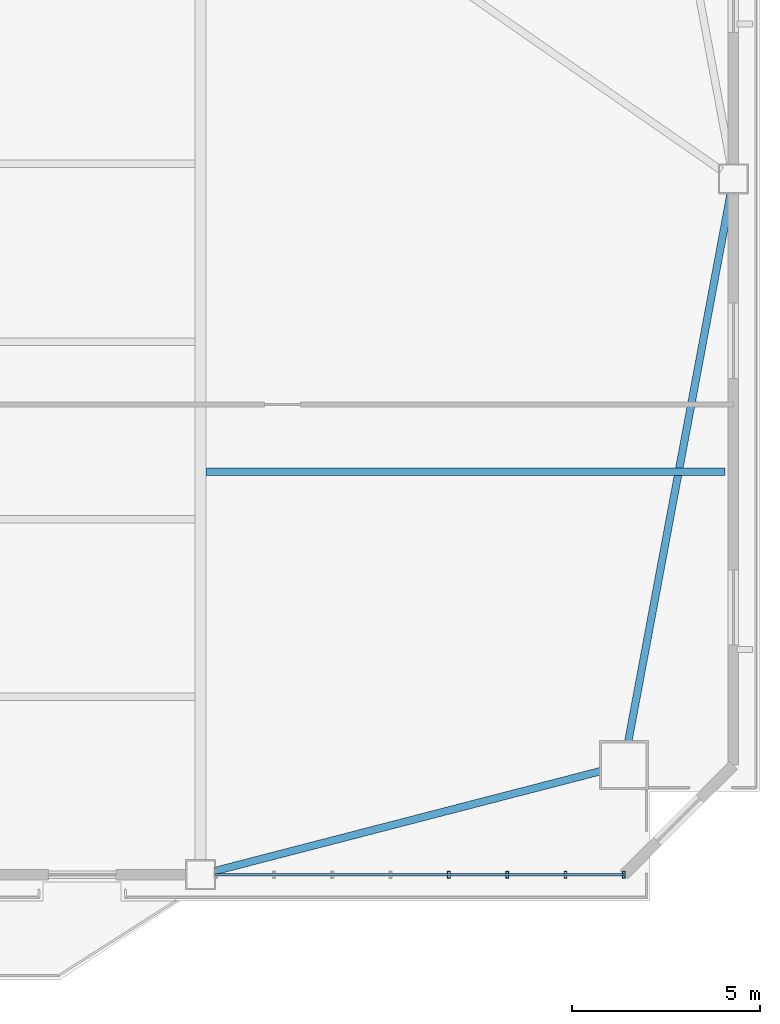
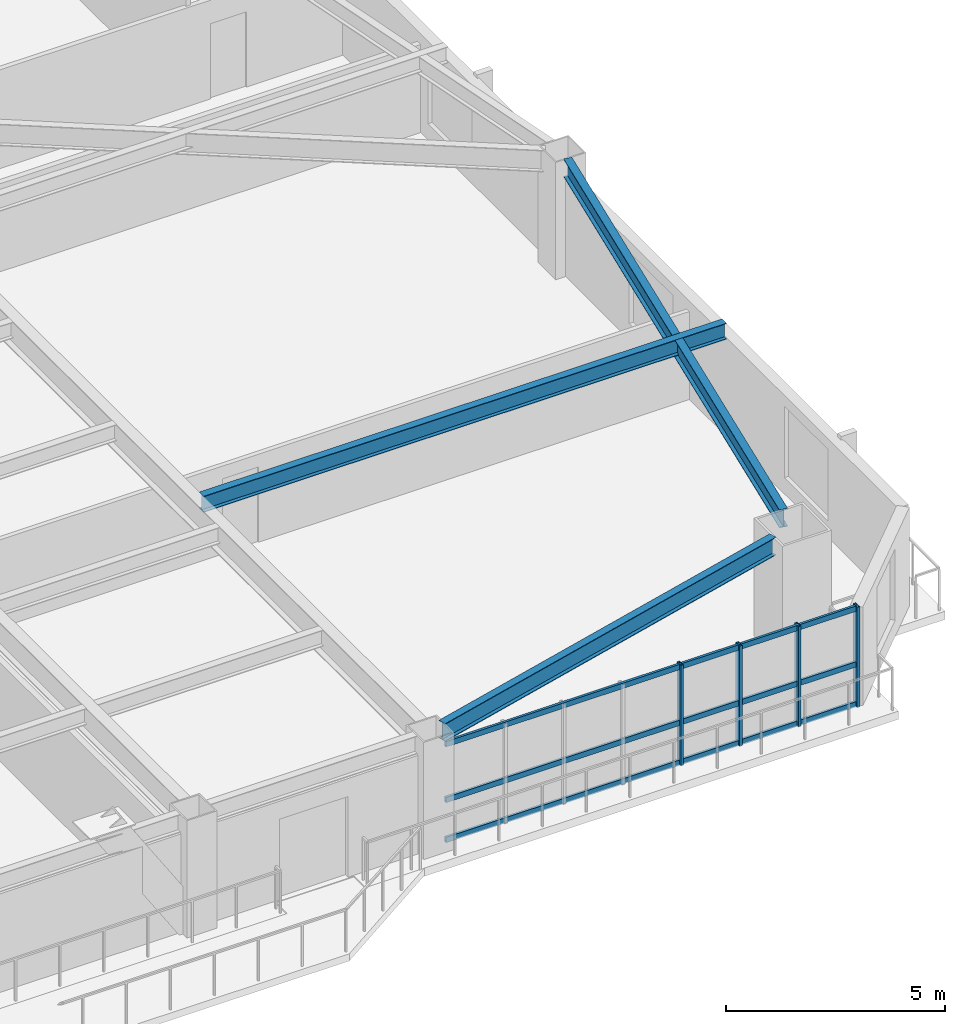
# One storey, part 5 of 16: 7 members, 3 beams, 1 element without a shape of its own.
"""IFC4 building model written with IfcOpenShell, lengths in metres."""

from ifc_helpers import new_model, si_unit, direction, frame, origin, origin_2d, place, context, subcontext, project, spatial, hollow_rectangle, i_section, extrude, source, transform, mapped, material, layer, layer_set, material_profile, profile_set, type_object, element, aggregate, save


model = new_model("IFC4")

# Units and contexts
model_context = context("Model", 3, precision=1e-05, world=origin(), true_north=direction((0.0, 1.0)))
body_context = subcontext(model_context, "Body", "Model", "MODEL_VIEW")
ifc_project = project(units=[si_unit("LENGTHUNIT", "METRE"), si_unit("AREAUNIT", "SQUARE_METRE"), si_unit("VOLUMEUNIT", "CUBIC_METRE"), si_unit("PLANEANGLEUNIT", "RADIAN"), si_unit("MASSUNIT", "GRAM", prefix="KILO")], contexts=[model_context])

# Site, building, storey
site_placement = place(None, origin())
site = spatial("IfcSite", under=ifc_project, at=site_placement, CompositionType="ELEMENT")
building_placement = place(site_placement, origin())
building = spatial("IfcBuilding", under=site, at=building_placement, Name="Giltprow Tower", CompositionType="ELEMENT")
storey_placement = place(building_placement, frame((0.0, 0.0, 159.699951171875)))
storey = spatial("IfcBuildingStorey", under=building, at=storey_placement, Name="L39", CompositionType="ELEMENT", Elevation=159.699951171875)

# Beams
ifc_material_1 = material(Name="Structural steel Q355B", Category="steel")
ifc_material_profile_1 = material_profile(ifc_material_1, i_section(OverallWidth=0.199951171875, OverallDepth=0.5, WebThickness=0.010009765625, FlangeThickness=0.01611328125, at=origin_2d()), Name="HN 500x200x10x16")
ifc_profile_set_1 = profile_set([ifc_material_profile_1], Name="Structural steel Q355B")
beam_type_1 = type_object("IfcBeamType", Name="BM-SPAN-HN500", PredefinedType="SPANDREL", material=ifc_profile_set_1)
shared_shape_1 = source(origin(), body_context, "Body", "SweptSolid", [
    extrude(i_section(OverallWidth=0.199951171875, OverallDepth=0.5, WebThickness=0.010009765625, FlangeThickness=0.01611328125, at=origin_2d()), origin(), (0.0, 0.0, 1.0), 10.603515625),
])
beam_1_placement = place(storey_placement, frame((50.923095703125, 9.194091796875, 3.02001953125), z_axis=(0.96807267562, 0.25066969246, 0.0), x_axis=(-0.25066969246, 0.96807267562, 0.0)))
element("IfcBeam", 1, at=beam_1_placement, inside=storey, type_object=beam_type_1, Name="L39 Perimeter Spandrel Beam S4-MC_SE", PredefinedType="SPANDREL", context=body_context, shape_type="MappedRepresentation", body=[
    mapped(shared_shape_1, transform((0.0, 0.0, 0.0), x_axis=(1.0, 0.0, 0.0), y_axis=(0.0, 1.0, 0.0), z_axis=(0.0, 0.0, 1.0), scale=1.0)),
])
shared_shape_2 = source(origin(), body_context, "Body", "SweptSolid", [
    extrude(i_section(OverallWidth=0.199951171875, OverallDepth=0.5, WebThickness=0.010009765625, FlangeThickness=0.01611328125, at=origin_2d()), origin(), (0.0, 0.0, 1.0), 14.83837890625),
])
beam_2_placement = place(storey_placement, frame((61.919921875, 12.635009765625, 3.02001953125), z_axis=(0.183652712761, 0.982991190752, 0.0), x_axis=(-0.982991190752, 0.183652712761, 0.0)))
element("IfcBeam", 2, at=beam_2_placement, inside=storey, type_object=beam_type_1, Name="L39 Perimeter Spandrel Beam MC_SE-E_MID", PredefinedType="SPANDREL", context=body_context, shape_type="MappedRepresentation", body=[
    mapped(shared_shape_2, transform((0.0, 0.0, 0.0), x_axis=(1.0, 0.0, 0.0), y_axis=(0.0, 1.0, 0.0), z_axis=(0.0, 0.0, 1.0), scale=1.0)),
])
ifc_material_profile_2 = material_profile(ifc_material_1, i_section(OverallWidth=0.199951171875, OverallDepth=0.449951171875, WebThickness=0.009033203125, FlangeThickness=0.013916015625, at=origin_2d()), Name="HN 450x200x9x14")
ifc_profile_set_2 = profile_set([ifc_material_profile_2], Name="Structural steel Q355B")
beam_type_2 = type_object("IfcBeamType", Name="BM-JOIST-HN450", PredefinedType="JOIST", material=ifc_profile_set_2)
shared_shape_3 = source(origin(), body_context, "Body", "SweptSolid", [
    extrude(i_section(OverallWidth=0.199951171875, OverallDepth=0.449951171875, WebThickness=0.009033203125, FlangeThickness=0.013916015625, at=origin_2d()), origin(), (0.0, 0.0, 1.0), 13.801025390625),
])
beam_3_placement = place(storey_placement, frame((50.695068359375, 19.804931640625, 3.045166015625), z_axis=(1.0, 0.0, 0.0), x_axis=(0.0, 1.0, 0.0)))
element("IfcBeam", 3, at=beam_3_placement, inside=storey, type_object=beam_type_2, Name="L39 East Wing Floor Joist 1", PredefinedType="JOIST", context=body_context, shape_type="MappedRepresentation", body=[
    mapped(shared_shape_3, transform((0.0, 0.0, 0.0), x_axis=(1.0, 0.0, 0.0), y_axis=(0.0, 1.0, 0.0), z_axis=(0.0, 0.0, 1.0), scale=1.0)),
])

# Curtain wall, members
ifc_material_2 = material(Name="Anodized bronze", Category="metal")
ifc_layer = layer(ifc_material_2, 0.179931640625, Name="Anodized bronze")
ifc_layer_set = layer_set([ifc_layer], Name="Anodized bronze")
curtain_wall_type = type_object("IfcCurtainWallType", Name="CW-HTL-BRONZE", PredefinedType="NOTDEFINED", material=ifc_layer_set)
curtain_wall_placement = place(storey_placement, origin())
curtain_wall = element("IfcCurtainWall", 4, at=curtain_wall_placement, inside=storey, type_object=curtain_wall_type, Name="L39 South Recessed Curtain Wall 6", PredefinedType="NOTDEFINED")
ifc_material_profile_3 = material_profile(ifc_material_2, hollow_rectangle(XDim=0.074951171875, YDim=0.179931640625, WallThickness=0.008056640625, at=origin_2d()), Name="RHS 180x75x8")
ifc_profile_set_3 = profile_set([ifc_material_profile_3], Name="Anodized bronze")
member_type_1 = type_object("IfcMemberType", Name="CW-MULLION-180x75", PredefinedType="MULLION", material=ifc_profile_set_3)
shared_shape_4 = source(origin(), body_context, "Body", "SweptSolid", [
    extrude(hollow_rectangle(XDim=0.074951171875, YDim=0.179931640625, WallThickness=0.008056640625, at=origin_2d()), origin(), (0.0, 0.0, 1.0), 2.80517578125),
])
member_1_placement = place(storey_placement, frame((57.152099609375, 9.097900390625, -0.02001953125), z_axis=(0.0, 0.0, 1.0), x_axis=(1.0, 0.0, 0.0)))
member_1 = element("IfcMember", 5, at=member_1_placement, type_object=member_type_1, Name="L39 South Recessed Curtain Wall 6 Mullion 5", PredefinedType="MULLION", context=body_context, shape_type="MappedRepresentation", body=[
    mapped(shared_shape_4, transform((0.0, 0.0, 0.0), x_axis=(1.0, 0.0, 0.0), y_axis=(0.0, 1.0, 0.0), z_axis=(0.0, 0.0, 1.0), scale=1.0)),
])
member_2_placement = place(storey_placement, frame((58.701904296875, 9.097900390625, -0.02001953125), z_axis=(0.0, 0.0, 1.0), x_axis=(1.0, 0.0, 0.0)))
member_2 = element("IfcMember", 6, at=member_2_placement, type_object=member_type_1, Name="L39 South Recessed Curtain Wall 6 Mullion 6", PredefinedType="MULLION", context=body_context, shape_type="MappedRepresentation", body=[
    mapped(shared_shape_4, transform((0.0, 0.0, 0.0), x_axis=(1.0, 0.0, 0.0), y_axis=(0.0, 1.0, 0.0), z_axis=(0.0, 0.0, 1.0), scale=1.0)),
])
member_3_placement = place(storey_placement, frame((60.2529296875, 9.097900390625, -0.02001953125), z_axis=(0.0, 0.0, 1.0), x_axis=(1.0, 0.0, 0.0)))
member_3 = element("IfcMember", 7, at=member_3_placement, type_object=member_type_1, Name="L39 South Recessed Curtain Wall 6 Mullion 7", PredefinedType="MULLION", context=body_context, shape_type="MappedRepresentation", body=[
    mapped(shared_shape_4, transform((0.0, 0.0, 0.0), x_axis=(1.0, 0.0, 0.0), y_axis=(0.0, 1.0, 0.0), z_axis=(0.0, 0.0, 1.0), scale=1.0)),
])
member_4_placement = place(storey_placement, frame((61.802978515625, 9.097900390625, -0.02001953125), z_axis=(0.0, 0.0, 1.0), x_axis=(1.0, 0.0, 0.0)))
member_4 = element("IfcMember", 8, at=member_4_placement, type_object=member_type_1, Name="L39 South Recessed Curtain Wall 6 Mullion 8", PredefinedType="MULLION", context=body_context, shape_type="MappedRepresentation", body=[
    mapped(shared_shape_4, transform((0.0, 0.0, 0.0), x_axis=(1.0, 0.0, 0.0), y_axis=(0.0, 1.0, 0.0), z_axis=(0.0, 0.0, 1.0), scale=1.0)),
])
ifc_material_profile_4 = material_profile(ifc_material_2, hollow_rectangle(XDim=0.06494140625, YDim=0.14990234375, WallThickness=0.006103515625, at=origin_2d()), Name="RHS 150x65x6")
ifc_profile_set_4 = profile_set([ifc_material_profile_4], Name="Anodized bronze")
member_type_2 = type_object("IfcMemberType", Name="CW-TRANSOM-150x65", PredefinedType="USERDEFINED", material=ifc_profile_set_4)
shared_shape_5 = source(origin(), body_context, "Body", "SweptSolid", [
    extrude(hollow_rectangle(XDim=0.06494140625, YDim=0.14990234375, WallThickness=0.006103515625, at=origin_2d()), origin(), (0.0, 0.0, 1.0), 10.85302734375),
])
member_5_placement = place(storey_placement, frame((50.949951171875, 9.097900390625, 0.0400390625), z_axis=(1.0, 0.0, 0.0), x_axis=(0.0, 1.0, 0.0)))
member_5 = element("IfcMember", 9, at=member_5_placement, type_object=member_type_2, Name="L39 South Recessed Curtain Wall 6 Transom 1", ObjectType="TRANSOM", PredefinedType="USERDEFINED", context=body_context, shape_type="MappedRepresentation", body=[
    mapped(shared_shape_5, transform((0.0, 0.0, 0.0), x_axis=(1.0, 0.0, 0.0), y_axis=(0.0, 1.0, 0.0), z_axis=(0.0, 0.0, 1.0), scale=1.0)),
])
member_6_placement = place(storey_placement, frame((50.949951171875, 9.097900390625, 1.155029296875), z_axis=(1.0, 0.0, 0.0), x_axis=(0.0, 1.0, 0.0)))
member_6 = element("IfcMember", 10, at=member_6_placement, type_object=member_type_2, Name="L39 South Recessed Curtain Wall 6 Transom 2", ObjectType="TRANSOM", PredefinedType="USERDEFINED", context=body_context, shape_type="MappedRepresentation", body=[
    mapped(shared_shape_5, transform((0.0, 0.0, 0.0), x_axis=(1.0, 0.0, 0.0), y_axis=(0.0, 1.0, 0.0), z_axis=(0.0, 0.0, 1.0), scale=1.0)),
])
member_7_placement = place(storey_placement, frame((50.949951171875, 9.097900390625, 2.7099609375), z_axis=(1.0, 0.0, 0.0), x_axis=(0.0, 1.0, 0.0)))
member_7 = element("IfcMember", 11, at=member_7_placement, type_object=member_type_2, Name="L39 South Recessed Curtain Wall 6 Transom 3", ObjectType="TRANSOM", PredefinedType="USERDEFINED", context=body_context, shape_type="MappedRepresentation", body=[
    mapped(shared_shape_5, transform((0.0, 0.0, 0.0), x_axis=(1.0, 0.0, 0.0), y_axis=(0.0, 1.0, 0.0), z_axis=(0.0, 0.0, 1.0), scale=1.0)),
])
aggregate(curtain_wall, [member_1, member_2, member_3, member_4, member_5, member_6, member_7])

save(model, "model.ifc")
